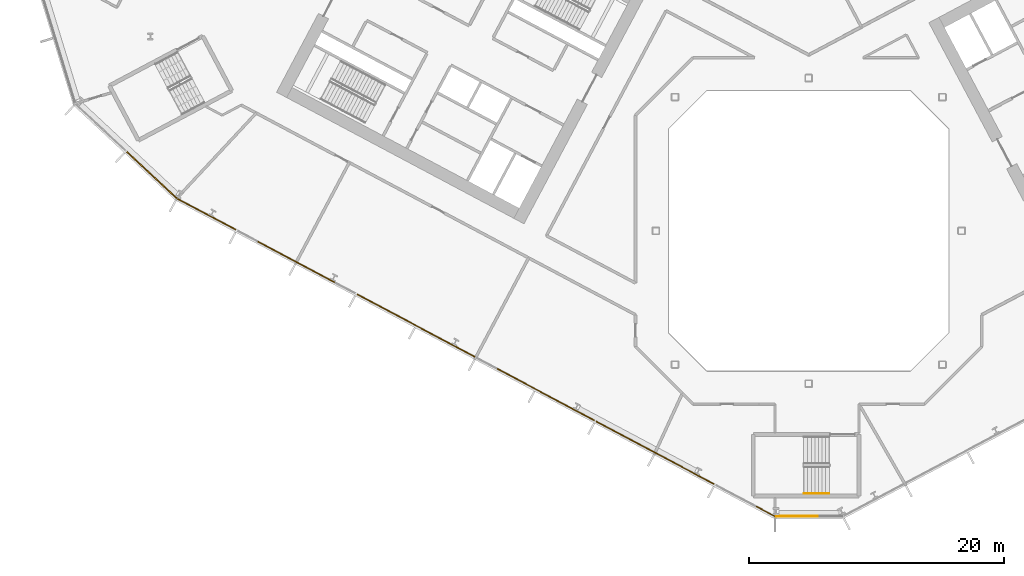
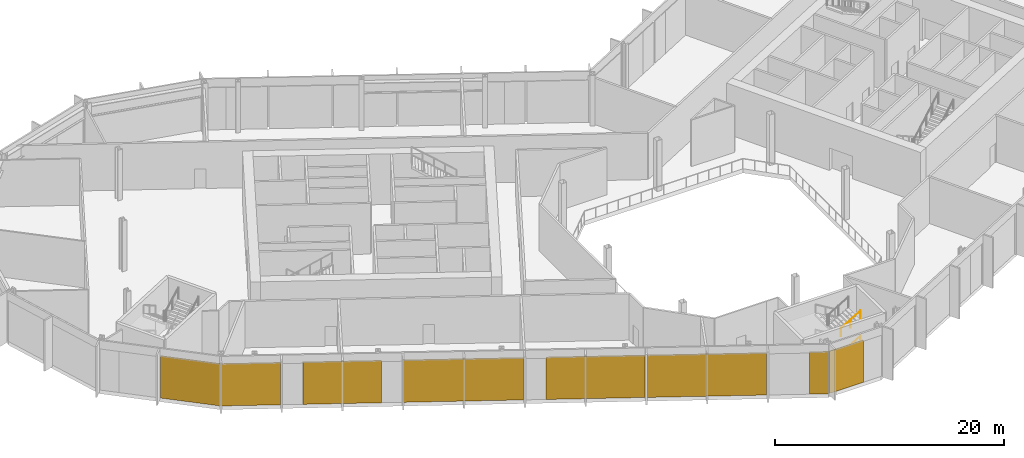
# One storey, part 20 of 32: 8 coverings, 2 railings, 3 elements without a shape of their own.
"""IFC4 building model written with IfcOpenShell, lengths in metres."""

import ifcopenshell
import ifcopenshell.guid

model = None  # the IFC model being written
_history = None  # IfcOwnerHistory: only IFC2X3 demands one
_inside = {}  # id of a spatial element -> (the spatial element, [elements in it])
_under = {}  # id of a project, library or spatial element -> (it, [spatial elements below it])
_declared = {}  # id of a project -> (the project, [libraries it declares])
_typed = {}  # id of a type object -> (the type object, [elements of that type])
_made_of = {}  # id of a material, layer set ... -> (it, [elements and type objects made of it])


def new_model(schema):
    """Start an empty IFC model of exactly this schema.

    Asked for "IFC4X3", IfcOpenShell would pick the latest addendum, in which some entities
    have other attributes; the version numbers below select the first issue.
    IFC2X3 requires an IfcOwnerHistory on every rooted entity: one is made here for all.
    """
    global model, _history
    if schema == "IFC4X3":
        model = ifcopenshell.file(schema_version=(4, 3, 0, 0))
    else:
        model = ifcopenshell.file(schema=schema)
    _inside.clear()
    _under.clear()
    _declared.clear()
    _typed.clear()
    _made_of.clear()
    _history = None
    if model.schema == "IFC2X3":
        org = make("IfcOrganization", Name="unknown")
        user = make(
            "IfcPersonAndOrganization",
            ThePerson=make("IfcPerson", FamilyName="unknown"),
            TheOrganization=org,
        )
        app = make(
            "IfcApplication",
            ApplicationDeveloper=org,
            Version="unknown",
            ApplicationFullName="unknown",
            ApplicationIdentifier="unknown",
        )
        _history = make(
            "IfcOwnerHistory",
            OwningUser=user,
            OwningApplication=app,
            ChangeAction="ADDED",
            CreationDate=0,
        )
    return model


def make(cls, **values):
    """One entity of the class cls with the attributes given. An attribute that is None is left unset."""
    return model.create_entity(
        cls, **{name: value for name, value in values.items() if value is not None}
    )


def rooted(cls, **values):
    """An entity with a GlobalId (a new one), such as an element, a storey or a relation."""
    return make(cls, GlobalId=ifcopenshell.guid.new(), OwnerHistory=_history, **values)


def si_unit(unit_type, name, prefix=None):
    """IfcSIUnit, for example si_unit("LENGTHUNIT", "METRE", prefix="MILLI")."""
    return make("IfcSIUnit", UnitType=unit_type, Prefix=prefix, Name=name)


def assignment(units):
    """IfcUnitAssignment: the units of a project."""
    return None if units is None else make("IfcUnitAssignment", Units=units)


def point(xyz):
    """IfcCartesianPoint."""
    return None if xyz is None else make("IfcCartesianPoint", Coordinates=xyz)


def direction(xyz):
    """IfcDirection."""
    return None if xyz is None else make("IfcDirection", DirectionRatios=xyz)


def frame(location, z_axis=None, x_axis=None):
    """IfcAxis2Placement3D, a coordinate frame: its origin and axes. An axis left out is left unset."""
    return make(
        "IfcAxis2Placement3D",
        Location=point(location),
        Axis=direction(z_axis),
        RefDirection=direction(x_axis),
    )


def frame_2d(location, x_axis=None):
    """IfcAxis2Placement2D, a coordinate frame in the plane: its origin and x axis."""
    return make(
        "IfcAxis2Placement2D", Location=point(location), RefDirection=direction(x_axis)
    )


def origin():
    """The frame at (0, 0, 0) with its axes left unset."""
    return frame((0.0, 0.0, 0.0))


def origin_2d():
    """The frame at (0, 0) in the plane with its x axis left unset."""
    return frame_2d((0.0, 0.0))


def place(relative_to, where):
    """IfcLocalPlacement: puts the frame where relative to a parent placement (None: the world)."""
    return make(
        "IfcLocalPlacement", PlacementRelTo=relative_to, RelativePlacement=where
    )


def context(
    kind, dimensions, precision=None, world=None, true_north=None, identifier=None
):
    """IfcGeometricRepresentationContext, for example the 3D "Model" context."""
    return make(
        "IfcGeometricRepresentationContext",
        ContextIdentifier=identifier,
        ContextType=kind,
        CoordinateSpaceDimension=dimensions,
        Precision=precision,
        WorldCoordinateSystem=world,
        TrueNorth=true_north,
    )


def subcontext(parent, identifier, kind, view, scale=None):
    """IfcGeometricRepresentationSubContext, for example "Body" below "Model"."""
    return make(
        "IfcGeometricRepresentationSubContext",
        ContextIdentifier=identifier,
        ContextType=kind,
        ParentContext=parent,
        TargetScale=scale,
        TargetView=view,
    )


def project(units=None, contexts=None):
    """IfcProject with its units and contexts."""
    return rooted(
        "IfcProject",
        Name="project",
        RepresentationContexts=contexts,
        UnitsInContext=assignment(units),
    )


def spatial(cls, under=None, at=None, **own):
    """A site, building, storey or space (cls), placed at a placement, below another one or the project."""
    s = rooted(cls, ObjectPlacement=at, **own)
    if under is not None:
        _under.setdefault(under.id(), (under, []))[1].append(s)
    return s


def polyline(points):
    """IfcPolyline through the points."""
    return make("IfcPolyline", Points=[point(p) for p in points])


def profile(cls, at=None, kind="AREA", **sizes):
    """A parametric profile (cls). Its sizes go by their IFC names, for example OverallWidth=200.0."""
    return make(cls, ProfileType=kind, Position=at, **sizes)


def rectangle(**sizes):
    """IfcRectangleProfileDef."""
    return profile("IfcRectangleProfileDef", **sizes)


def outline(outer, holes=None, kind="AREA"):
    """IfcArbitraryClosedProfileDef: a profile drawn as a closed curve; with holes, ...WithVoids."""
    if holes is None:
        return make("IfcArbitraryClosedProfileDef", ProfileType=kind, OuterCurve=outer)
    return make(
        "IfcArbitraryProfileDefWithVoids",
        ProfileType=kind,
        OuterCurve=outer,
        InnerCurves=holes,
    )


def extrude(swept, where, along, depth):
    """IfcExtrudedAreaSolid: the profile swept, set in the frame where, extruded along a direction by depth."""
    return make(
        "IfcExtrudedAreaSolid",
        SweptArea=swept,
        Position=where,
        ExtrudedDirection=direction(along),
        Depth=depth,
    )


def shape(context_of_items, identifier, shape_type, items):
    """IfcShapeRepresentation: the items that make up one representation, for example the "Body"."""
    return make(
        "IfcShapeRepresentation",
        ContextOfItems=context_of_items,
        RepresentationIdentifier=identifier,
        RepresentationType=shape_type,
        Items=items,
    )


def material(Name=None, Category=None):
    """IfcMaterial."""
    return make("IfcMaterial", Name=Name, Category=Category)


def layer(
    of_material, thickness, ventilated=None, Name=None, Category=None, Priority=None
):
    """IfcMaterialLayer: one layer of a wall or slab, of a material (None: an air gap)."""
    return make(
        "IfcMaterialLayer",
        Material=of_material,
        LayerThickness=thickness,
        IsVentilated=ventilated,
        Name=Name,
        Category=Category,
        Priority=Priority,
    )


def layer_set(layers, Name=None):
    """IfcMaterialLayerSet."""
    return make("IfcMaterialLayerSet", MaterialLayers=layers, LayerSetName=Name)


def made_of(thing, what):
    """Note that an element or type object is made of a material, layer set ...; save() writes the relation."""
    if what is not None:
        _made_of.setdefault(what.id(), (what, []))[1].append(thing)
    return thing


def type_object(cls, material=None, **own):
    """A type object (cls), such as IfcWallType, which elements share."""
    return made_of(rooted(cls, **own), material)


def element(
    cls,
    number,
    at=None,
    inside=None,
    cuts=None,
    type_object=None,
    material=None,
    context=None,
    identifier="Body",
    shape_type=None,
    held_by="IfcProductDefinitionShape",
    body=None,
    shapes=None,
    **own,
):
    """One element of the class cls, such as IfcWall. Its Tag is "e" and its number.

    at: its placement. inside: the storey or other place that contains it. cuts: it is an
    opening in that element (IfcRelVoidsElement). A single representation is given by context,
    identifier, shape_type and body (its items); several are given by shapes. held_by: the class
    of the entity that holds the representations. save() writes the other relations.
    """
    e = rooted(cls, Tag="e%d" % number, ObjectPlacement=at, **own)
    if body is not None:
        shapes = [shape(context, identifier, shape_type, body)]
    if shapes is not None:
        e.Representation = make(held_by, Representations=shapes)
    if inside is not None:
        _inside.setdefault(inside.id(), (inside, []))[1].append(e)
    if cuts is not None:
        rooted(
            "IfcRelVoidsElement", RelatingBuildingElement=cuts, RelatedOpeningElement=e
        )
    if type_object is not None:
        _typed.setdefault(type_object.id(), (type_object, []))[1].append(e)
    return made_of(e, material)


def aggregate(whole, parts):
    """IfcRelAggregates: a whole, such as a stair, and the parts it consists of."""
    return rooted("IfcRelAggregates", RelatingObject=whole, RelatedObjects=parts)


def save(model, path):
    """Write the relations noted so far, then the file.

    IfcRelAggregates (storeys below a building ...), IfcRelContainedInSpatialStructure (elements
    in a storey), IfcRelDefinesByType, IfcRelAssociatesMaterial and IfcRelDeclares: one each for
    every whole, place, type object, material and project.
    """
    for whole, parts in _under.values():
        aggregate(whole, parts)
    for where, things in _inside.values():
        rooted(
            "IfcRelContainedInSpatialStructure",
            RelatedElements=things,
            RelatingStructure=where,
        )
    for kind, things in _typed.values():
        rooted("IfcRelDefinesByType", RelatedObjects=things, RelatingType=kind)
    for what, things in _made_of.values():
        rooted("IfcRelAssociatesMaterial", RelatedObjects=things, RelatingMaterial=what)
    for by, libraries in _declared.values():
        rooted("IfcRelDeclares", RelatingContext=by, RelatedDefinitions=libraries)
    model.write(path)


model = new_model("IFC4")

# Units and contexts
model_context = context("Model", 3, precision=1e-05, world=origin(), true_north=direction((0.0, 1.0)))
body_context = subcontext(model_context, "Body", "Model", "MODEL_VIEW")
ifc_project = project(units=[si_unit("LENGTHUNIT", "METRE"), si_unit("AREAUNIT", "SQUARE_METRE"), si_unit("VOLUMEUNIT", "CUBIC_METRE"), si_unit("PLANEANGLEUNIT", "RADIAN"), si_unit("MASSUNIT", "GRAM", prefix="KILO")], contexts=[model_context])

# Site, building, storey
site_placement = place(None, origin())
site = spatial("IfcSite", under=ifc_project, at=site_placement, CompositionType="ELEMENT")
building_placement = place(site_placement, origin())
building = spatial("IfcBuilding", under=site, at=building_placement, Name="Cormorant Relay Tower", CompositionType="ELEMENT")
storey_placement = place(building_placement, frame((0.0, 0.0, 28.39990234375)))
storey = spatial("IfcBuildingStorey", under=building, at=storey_placement, Name="L05", CompositionType="ELEMENT", Elevation=28.39990234375)

# Curtain wall, covering
ifc_material_1 = material(Name="Aluminium 6063-T6 anodised bronze", Category="aluminium")
ifc_layer_1 = layer(ifc_material_1, 0.235107421875)
ifc_layer_set_1 = layer_set([ifc_layer_1], Name="CW6 data hall curtain wall with mineral wool panels")
curtain_wall_type = type_object("IfcCurtainWallType", Name="CW6 data hall curtain wall with mineral wool panels", PredefinedType="NOTDEFINED", material=ifc_layer_set_1)
curtain_wall_1_placement = place(storey_placement, origin())
curtain_wall_1 = element("IfcCurtainWall", 1, at=curtain_wall_1_placement, inside=storey, type_object=curtain_wall_type, Name="CW6 curtain wall 1", PredefinedType="NOTDEFINED")
ifc_material_2 = material(Name="Mineral wool cored anodised bronze aluminium cassette panel", Category="aluminium")
ifc_layer_2 = layer(ifc_material_2, 0.074951171875)
ifc_layer_set_2 = layer_set([ifc_layer_2], Name="CW6 mineral wool cassette panel 75")
covering_type = type_object("IfcCoveringType", Name="CW6 mineral wool cassette panel 75", PredefinedType="CLADDING", material=ifc_layer_set_2)
covering_1_placement = place(storey_placement, frame((-0.862548828125, -22.4130859375, 0.0), z_axis=(0.0, 0.0, 1.0), x_axis=(1.0, 0.0, 0.0)))
covering_1 = element("IfcCovering", 2, at=covering_1_placement, type_object=covering_type, Name="CW6 panel S00", PredefinedType="CLADDING", context=body_context, shape_type="SweptSolid", body=[
    extrude(rectangle(XDim=3.422607421875, YDim=0.074951171875, at=origin_2d()), origin(), (0.0, 0.0, 1.0), 4.5),
])
aggregate(curtain_wall_1, [covering_1])

curtain_wall_2_placement = place(storey_placement, origin())
curtain_wall_2 = element("IfcCurtainWall", 3, at=curtain_wall_2_placement, inside=storey, type_object=curtain_wall_type, Name="CW6 curtain wall 13", PredefinedType="NOTDEFINED")
covering_2_placement = place(storey_placement, frame((-51.5771484375, 4.384765625, 0.0), z_axis=(0.0, 0.0, 1.0), x_axis=(0.731353701619, -0.681998360062, 0.0)))
covering_2 = element("IfcCovering", 4, at=covering_2_placement, type_object=covering_type, Name="CW6 panel S02", PredefinedType="CLADDING", context=body_context, shape_type="SweptSolid", body=[
    extrude(rectangle(XDim=5.360107421875, YDim=0.074951171875, at=origin_2d()), origin(), (0.0, 0.0, 1.0), 4.5),
])
aggregate(curtain_wall_2, [covering_2])

# Curtain wall, coverings
curtain_wall_3_placement = place(storey_placement, origin())
curtain_wall_3 = element("IfcCurtainWall", 5, at=curtain_wall_3_placement, inside=storey, type_object=curtain_wall_type, Name="CW6 curtain wall 14", PredefinedType="NOTDEFINED")
covering_3_placement = place(storey_placement, frame((-47.261962890625, 1.30322265625, 0.0), z_axis=(0.0, 0.0, 1.0), x_axis=(0.882947592859, -0.469471562786, 0.0)))
covering_3 = element("IfcCovering", 6, at=covering_3_placement, type_object=covering_type, Name="CW6 panel S00", PredefinedType="CLADDING", context=body_context, shape_type="SweptSolid", body=[
    extrude(rectangle(XDim=5.16650390625, YDim=0.074951171875, at=origin_2d()), origin(), (0.0, 0.0, 1.0), 4.5),
])
covering_4_placement = place(storey_placement, frame((-40.220703125, -2.44091796875, 0.0), z_axis=(0.0, 0.0, 1.0), x_axis=(0.882947592859, -0.469471562786, 0.0)))
covering_4 = element("IfcCovering", 7, at=covering_4_placement, type_object=covering_type, Name="CW6 panel S02", PredefinedType="CLADDING", context=body_context, shape_type="SweptSolid", body=[
    extrude(rectangle(XDim=6.88330078125, YDim=0.074951171875, at=origin_2d()), origin(), (0.0, 0.0, 1.0), 4.5),
])
covering_5_placement = place(storey_placement, frame((-30.83203125, -7.4326171875, 0.0), z_axis=(0.0, 0.0, 1.0), x_axis=(0.882947592859, -0.469471562786, 0.0)))
covering_5 = element("IfcCovering", 8, at=covering_5_placement, type_object=covering_type, Name="CW6 panel S04", PredefinedType="CLADDING", context=body_context, shape_type="SweptSolid", body=[
    extrude(rectangle(XDim=10.483154296875, YDim=0.074951171875, at=origin_2d()), origin(), (0.0, 0.0, 1.0), 4.5),
])
covering_6_placement = place(storey_placement, frame((-20.64892578125, -12.84716796875, 0.0), z_axis=(0.0, 0.0, 1.0), x_axis=(0.882947592859, -0.469471562786, 0.0)))
covering_6 = element("IfcCovering", 9, at=covering_6_placement, type_object=covering_type, Name="CW6 panel S06", PredefinedType="CLADDING", context=body_context, shape_type="SweptSolid", body=[
    extrude(rectangle(XDim=8.68310546875, YDim=0.074951171875, at=origin_2d()), origin(), (0.0, 0.0, 1.0), 4.5),
])
covering_7_placement = place(storey_placement, frame((-12.054931640625, -17.416748046875, 0.0), z_axis=(0.0, 0.0, 1.0), x_axis=(0.882947592859, -0.469471562786, 0.0)))
covering_7 = element("IfcCovering", 10, at=covering_7_placement, type_object=covering_type, Name="CW6 panel S07", PredefinedType="CLADDING", context=body_context, shape_type="SweptSolid", body=[
    extrude(rectangle(XDim=10.483154296875, YDim=0.074951171875, at=origin_2d()), origin(), (0.0, 0.0, 1.0), 4.5),
])
covering_8_placement = place(storey_placement, frame((-3.39111328125, -22.023193359375, 0.0), z_axis=(0.0, 0.0, 1.0), x_axis=(0.882947592859, -0.469471562786, 0.0)))
covering_8 = element("IfcCovering", 11, at=covering_8_placement, type_object=covering_type, Name="CW6 panel S09", PredefinedType="CLADDING", context=body_context, shape_type="SweptSolid", body=[
    extrude(rectangle(XDim=1.6416015625, YDim=0.074951171875, at=origin_2d()), origin(), (0.0, 0.0, 1.0), 4.5),
])
aggregate(curtain_wall_3, [covering_3, covering_4, covering_5, covering_6, covering_7, covering_8])

# Railings
ifc_material_3 = material(Name="Steel ASTM A572 Grade 50 (Fy 345 MPa)", Category="steel")
railing_type = type_object("IfcRailingType", Name="Stair handrail 900", PredefinedType="HANDRAIL", material=ifc_material_3)
for number, where, name in (
    (12, (-0.360107421875, -20.625, 1.518798828125), "L05 RK1 stair handrail 2"),
    (13, (-0.360107421875, -20.625, 4.21875), "L05 RK1 stair handrail 4"),
):
    element("IfcRailing", number, at=place(storey_placement, frame(where)), inside=storey, type_object=railing_type, Name=name, PredefinedType="HANDRAIL", context=body_context, shape_type="SweptSolid", body=[
        extrude(outline(polyline([(0.022216796875, 0.00927734375), (0.00927734375, 0.022216796875), (-0.00927734375, 0.022216796875), (-0.022216796875, 0.00927734375), (-0.022216796875, -0.00927734375), (-0.00927734375, -0.022216796875), (0.00927734375, -0.022216796875), (0.022216796875, -0.00927734375), (0.022216796875, 0.00927734375)])), frame((0.0, 0.0, 0.8759765625), z_axis=(0.856474724393, 0.0, 0.516188963923), x_axis=(0.0, 1.0, 0.0)), (0.0, 0.0, 1.0), 2.28857421875),
        extrude(outline(polyline([(0.019287109375, 0.008056640625), (0.008056640625, 0.019287109375), (-0.008056640625, 0.019287109375), (-0.019287109375, 0.008056640625), (-0.019287109375, -0.008056640625), (-0.008056640625, -0.019287109375), (0.008056640625, -0.019287109375), (0.019287109375, -0.008056640625), (0.019287109375, 0.008056640625)])), origin(), (0.0, 0.0, 1.0), 0.851806640625),
        extrude(outline(polyline([(0.019287109375, 0.008056640625), (0.008056640625, 0.019287109375), (-0.008056640625, 0.019287109375), (-0.019287109375, 0.008056640625), (-0.019287109375, -0.008056640625), (-0.008056640625, -0.019287109375), (0.008056640625, -0.019287109375), (0.019287109375, -0.008056640625), (0.019287109375, 0.008056640625)])), frame((0.97998046875, 0.0, 0.5908203125)), (0.0, 0.0, 1.0), 0.851806640625),
        extrude(outline(polyline([(0.019287109375, 0.008056640625), (0.008056640625, 0.019287109375), (-0.008056640625, 0.019287109375), (-0.019287109375, 0.008056640625), (-0.019287109375, -0.008056640625), (-0.008056640625, -0.019287109375), (0.008056640625, -0.019287109375), (0.019287109375, -0.008056640625), (0.019287109375, 0.008056640625)])), frame((1.960205078125, 0.0, 1.181396484375)), (0.0, 0.0, 1.0), 0.851806640625),
    ])

save(model, "model.ifc")
